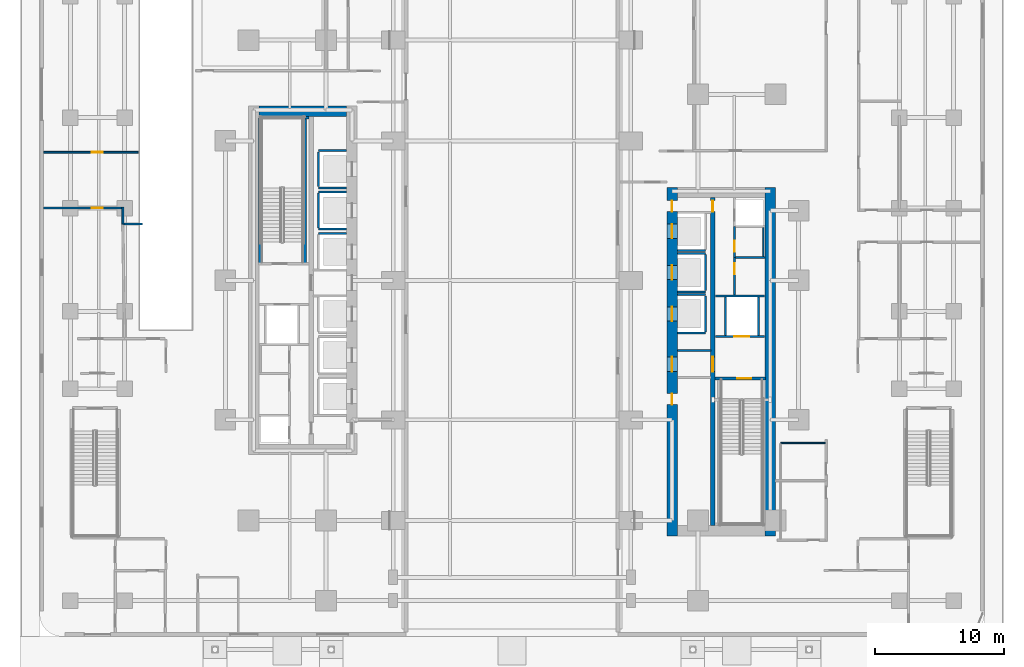
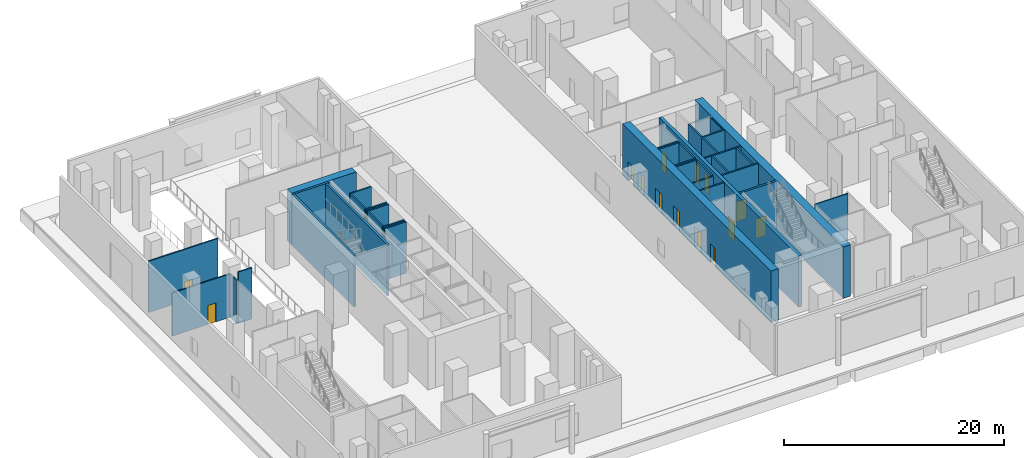
# One storey, part 11 of 22: 36 walls, 14 doors, 14 openings.
"""IFC4 building model written with IfcOpenShell, lengths in metres."""

from ifc_helpers import new_model, si_unit, direction, frame, frame_2d, origin, place, context, subcontext, project, spatial, rectangle, extrude, material, layer, layer_set, type_object, element, fill, save


model = new_model("IFC4")

# Units and contexts
model_context = context("Model", 3, precision=1e-05, world=origin(), true_north=direction((0.0, 1.0)))
body_context = subcontext(model_context, "Body", "Model", "MODEL_VIEW")
ifc_project = project(units=[si_unit("LENGTHUNIT", "METRE"), si_unit("AREAUNIT", "SQUARE_METRE"), si_unit("VOLUMEUNIT", "CUBIC_METRE"), si_unit("PLANEANGLEUNIT", "RADIAN"), si_unit("MASSUNIT", "GRAM", prefix="KILO")], contexts=[model_context])

# Site, building, storey
site_placement = place(None, origin())
site = spatial("IfcSite", under=ifc_project, at=site_placement, CompositionType="ELEMENT")
building_placement = place(site_placement, origin())
building = spatial("IfcBuilding", under=site, at=building_placement, Name="Khairoan Windgate Tower", CompositionType="ELEMENT")
storey_placement = place(building_placement, origin())
storey = spatial("IfcBuildingStorey", under=building, at=storey_placement, Name="L01", CompositionType="ELEMENT", Elevation=0.0)

# Walls
ifc_material_1 = material(Name="Moisture-Resistant Gypsum Partition", Category="gypsum")
ifc_layer_1 = layer(ifc_material_1, 0.10009765625, Name="Moisture-Resistant Gypsum Partition")
ifc_layer_set_1 = layer_set([ifc_layer_1], Name="Moisture-Resistant Gypsum Partition")
wall_type_1 = type_object("IfcWallType", Name="Bathroom Wet-Area Partition Wall", PredefinedType="PARTITIONING", material=ifc_layer_set_1)
wall_1_placement = place(storey_placement, frame((19.449951171875, 4.090087890625, 0.0), z_axis=(0.0, 0.0, 1.0), x_axis=(0.0, -1.0, 0.0)))
element("IfcWall", 1, at=wall_1_placement, inside=storey, type_object=wall_type_1, Name="L01 Wet Room Side Wall 049", PredefinedType="PARTITIONING", context=body_context, shape_type="SweptSolid", body=[
    extrude(rectangle(XDim=2.239990234375, YDim=0.10009765625, at=frame_2d((1.1201171875, 0.0))), origin(), (0.0, 0.0, 1.0), 5.699951171875),
])
wall_2_placement = place(storey_placement, frame((20.800048828125, -12.60009765625, 0.0), z_axis=(0.0, 0.0, 1.0), x_axis=(1.0, 0.0, 0.0)))
element("IfcWall", 2, at=wall_2_placement, inside=storey, type_object=wall_type_1, Name="L01 Wet Room Side Wall 053", PredefinedType="PARTITIONING", context=body_context, shape_type="SweptSolid", body=[
    extrude(rectangle(XDim=3.445068359375, YDim=0.10009765625, at=frame_2d((1.72265625, 0.0))), origin(), (0.0, 0.0, 1.0), 5.699951171875),
])
ifc_material_2 = material(Name="Concrete C40/50", Category="concrete")
ifc_layer_2 = layer(ifc_material_2, 0.159912109375, Name="Concrete C40/50")
ifc_layer_set_2 = layer_set([ifc_layer_2], Name="Concrete C40/50")
wall_type_2 = type_object("IfcWallType", Name="Core and Hoistway Enclosure Wall", PredefinedType="STANDARD", material=ifc_layer_set_2)
for number, where, z_axis, x_axis, name in (
    (3, (-14.989990234375, 7.159912109375, 0.0), (0.0, 0.0, 1.0), (1.0, 0.0, 0.0), "L01 Lift PL1 Hoistway Divider S"),
    (4, (-14.989990234375, 10.0400390625, 0.0), (0.0, 0.0, 1.0), (1.0, 0.0, 0.0), "L01 Lift PL1 Hoistway Divider N"),
):
    element("IfcWall", number, at=place(storey_placement, frame(where, z_axis=z_axis, x_axis=x_axis)), inside=storey, type_object=wall_type_2, Name=name, PredefinedType="STANDARD", context=body_context, shape_type="SweptSolid", body=[
        extrude(rectangle(XDim=2.18994140625, YDim=0.159912109375, at=frame_2d((1.094970703125, 0.0))), origin(), (0.0, 0.0, 1.0), 5.699951171875),
    ])
wall_3_placement = place(storey_placement, frame((-14.989990234375, 7.25, 0.0), z_axis=(0.0, 0.0, 1.0), x_axis=(0.0, 1.0, 0.0)))
element("IfcWall", 5, at=wall_3_placement, inside=storey, type_object=wall_type_2, Name="L01 Lift PL1 Hoistway Back Wall", PredefinedType="STANDARD", context=body_context, shape_type="SweptSolid", body=[
    extrude(rectangle(XDim=2.699951171875, YDim=0.159912109375, at=frame_2d((1.35009765625, 0.0))), origin(), (0.0, 0.0, 1.0), 5.699951171875),
])
for number, where, z_axis, x_axis, name in (
    (6, (-14.989990234375, 3.9599609375, 0.0), (0.0, 0.0, 1.0), (1.0, 0.0, 0.0), "L01 Lift PL2 Hoistway Divider S"),
    (7, (-14.989990234375, 6.840087890625, 0.0), (0.0, 0.0, 1.0), (1.0, 0.0, 0.0), "L01 Lift PL2 Hoistway Divider N"),
):
    element("IfcWall", number, at=place(storey_placement, frame(where, z_axis=z_axis, x_axis=x_axis)), inside=storey, type_object=wall_type_2, Name=name, PredefinedType="STANDARD", context=body_context, shape_type="SweptSolid", body=[
        extrude(rectangle(XDim=2.18994140625, YDim=0.159912109375, at=frame_2d((1.094970703125, 0.0))), origin(), (0.0, 0.0, 1.0), 5.699951171875),
    ])
wall_4_placement = place(storey_placement, frame((-14.989990234375, 4.050048828125, 0.0), z_axis=(0.0, 0.0, 1.0), x_axis=(0.0, 1.0, 0.0)))
element("IfcWall", 8, at=wall_4_placement, inside=storey, type_object=wall_type_2, Name="L01 Lift PL2 Hoistway Back Wall", PredefinedType="STANDARD", context=body_context, shape_type="SweptSolid", body=[
    extrude(rectangle(XDim=2.699951171875, YDim=0.159912109375, at=frame_2d((1.35009765625, 0.0))), origin(), (0.0, 0.0, 1.0), 5.699951171875),
])
for number, where, z_axis, x_axis, name in (
    (9, (-14.989990234375, 3.639892578125, 0.0), (0.0, 0.0, 1.0), (1.0, 0.0, 0.0), "L01 Lift PL3 Hoistway Divider N"),
    (10, (12.800048828125, 2.31005859375, 0.0), (0.0, 0.0, 1.0), (1.0, 0.0, 0.0), "L01 Lift PL7 Hoistway Divider S"),
    (11, (12.800048828125, -0.889892578125, 0.0), (0.0, 0.0, 1.0), (1.0, 0.0, 0.0), "L01 Lift PL8 Hoistway Divider S"),
    (12, (12.800048828125, 2.090087890625, 0.0), (0.0, 0.0, 1.0), (1.0, 0.0, 0.0), "L01 Lift PL8 Hoistway Divider N"),
):
    element("IfcWall", number, at=place(storey_placement, frame(where, z_axis=z_axis, x_axis=x_axis)), inside=storey, type_object=wall_type_2, Name=name, PredefinedType="STANDARD", context=body_context, shape_type="SweptSolid", body=[
        extrude(rectangle(XDim=2.18994140625, YDim=0.159912109375, at=frame_2d((1.094970703125, 0.0))), origin(), (0.0, 0.0, 1.0), 5.699951171875),
    ])
wall_5_placement = place(storey_placement, frame((14.989990234375, -0.800048828125, 0.0), z_axis=(0.0, 0.0, 1.0), x_axis=(0.0, 1.0, 0.0)))
element("IfcWall", 13, at=wall_5_placement, inside=storey, type_object=wall_type_2, Name="L01 Lift PL8 Hoistway Back Wall", PredefinedType="STANDARD", context=body_context, shape_type="SweptSolid", body=[
    extrude(rectangle(XDim=2.800048828125, YDim=0.159912109375, at=frame_2d((1.39990234375, 0.0))), origin(), (0.0, 0.0, 1.0), 5.699951171875),
])
for number, where, z_axis, x_axis, name in (
    (14, (12.800048828125, -4.090087890625, 0.0), (0.0, 0.0, 1.0), (1.0, 0.0, 0.0), "L01 Lift PL9 Hoistway Divider S"),
    (15, (12.800048828125, -1.110107421875, 0.0), (0.0, 0.0, 1.0), (1.0, 0.0, 0.0), "L01 Lift PL9 Hoistway Divider N"),
):
    element("IfcWall", number, at=place(storey_placement, frame(where, z_axis=z_axis, x_axis=x_axis)), inside=storey, type_object=wall_type_2, Name=name, PredefinedType="STANDARD", context=body_context, shape_type="SweptSolid", body=[
        extrude(rectangle(XDim=2.18994140625, YDim=0.159912109375, at=frame_2d((1.094970703125, 0.0))), origin(), (0.0, 0.0, 1.0), 5.699951171875),
    ])
wall_6_placement = place(storey_placement, frame((14.989990234375, -4.0, 0.0), z_axis=(0.0, 0.0, 1.0), x_axis=(0.0, 1.0, 0.0)))
element("IfcWall", 16, at=wall_6_placement, inside=storey, type_object=wall_type_2, Name="L01 Lift PL9 Hoistway Back Wall", PredefinedType="STANDARD", context=body_context, shape_type="SweptSolid", body=[
    extrude(rectangle(XDim=2.800048828125, YDim=0.159912109375, at=frame_2d((1.39990234375, 0.0))), origin(), (0.0, 0.0, 1.0), 5.699951171875),
])

# Wall, opening, door
wall_7_placement = place(storey_placement, frame((15.75, -4.360107421875, 0.0), z_axis=(0.0, 0.0, 1.0), x_axis=(1.0, 0.0, 0.0)))
wall_7 = element("IfcWall", 17, at=wall_7_placement, inside=storey, type_object=wall_type_2, Name="L01 Core Shaft Wall SW-FL1-L01", PredefinedType="STANDARD", context=body_context, shape_type="SweptSolid", body=[
    extrude(rectangle(XDim=3.800048828125, YDim=0.159912109375, at=frame_2d((1.89990234375, 0.0))), origin(), (0.0, 0.0, 1.0), 5.699951171875),
])
opening_1_placement = place(wall_7_placement, frame((1.469970703125, 0.0, 0.0)))
opening_1 = element("IfcOpeningElement", 18, at=opening_1_placement, cuts=wall_7, Name="Opening LD-FL", PredefinedType="OPENING", context=body_context, shape_type="SweptSolid", body=[
    extrude(rectangle(XDim=1.14990234375, YDim=2.199951171875, at=frame_2d((0.574951171875, 1.10009765625))), frame((0.0, 0.08984375, 0.0), z_axis=(0.0, -1.0, 0.0), x_axis=(1.0, 0.0, 0.0)), (0.0, 0.0, 1.0), 0.179931640625),
])
ifc_material_3 = material(Name="Steel S355", Category="steel")
door_type_1 = type_object("IfcDoorType", Name="Firefighting Lift Sliding Landing Door LD-FL 1150x2200", OperationType="DOUBLE_DOOR_SLIDING", PredefinedType="DOOR", material=ifc_material_3)
door_1_placement = place(opening_1_placement, origin())
door_1 = element("IfcDoor", 19, at=door_1_placement, inside=storey, type_object=door_type_1, Name="L01 Firefighting Lift FL1 Landing Door", OperationType="DOUBLE_DOOR_SLIDING", OverallHeight=2.199951171875, OverallWidth=1.14990234375, PredefinedType="DOOR", context=body_context, shape_type="SweptSolid", body=[
    extrude(rectangle(XDim=1.14990234375, YDim=2.199951171875, at=frame_2d((0.574951171875, 1.10009765625))), frame((0.0, 0.02490234375, 0.0), z_axis=(0.0, -1.0, 0.0), x_axis=(1.0, 0.0, 0.0)), (0.0, 0.0, 1.0), 0.050048828125),
])
fill(opening_1, door_1)

# Walls
wall_8_placement = place(storey_placement, frame((15.75, -1.219970703125, 0.0), z_axis=(0.0, 0.0, 1.0), x_axis=(1.0, 0.0, 0.0)))
element("IfcWall", 20, at=wall_8_placement, inside=storey, type_object=wall_type_2, Name="L01 Core Shaft Wall SW-FL1T-L01", PredefinedType="STANDARD", context=body_context, shape_type="SweptSolid", body=[
    extrude(rectangle(XDim=3.800048828125, YDim=0.159912109375, at=frame_2d((1.89990234375, 0.0))), origin(), (0.0, 0.0, 1.0), 5.699951171875),
])
for number, where, z_axis, x_axis, name in (
    (21, (16.52001953125, -4.280029296875, 0.0), (0.0, 0.0, 1.0), (0.0, 1.0, 0.0), "L01 Core Shaft Wall SW-FL1W-L01"),
    (22, (19.080078125, -4.280029296875, 0.0), (0.0, 0.0, 1.0), (0.0, 1.0, 0.0), "L01 Core Shaft Wall SW-FL1E-L01"),
):
    element("IfcWall", number, at=place(storey_placement, frame(where, z_axis=z_axis, x_axis=x_axis)), inside=storey, type_object=wall_type_2, Name=name, PredefinedType="STANDARD", context=body_context, shape_type="SweptSolid", body=[
        extrude(rectangle(XDim=2.97998046875, YDim=0.159912109375, at=frame_2d((1.489990234375, 0.0))), origin(), (0.0, 0.0, 1.0), 5.699951171875),
    ])
wall_9_placement = place(storey_placement, frame((12.800048828125, -5.449951171875, 0.0), z_axis=(0.0, 0.0, 1.0), x_axis=(1.0, 0.0, 0.0)))
element("IfcWall", 23, at=wall_9_placement, inside=storey, type_object=wall_type_2, Name="L01 Core Shaft Wall SW-EV1-L01", PredefinedType="STANDARD", context=body_context, shape_type="SweptSolid", body=[
    extrude(rectangle(XDim=2.599853515625, YDim=0.159912109375, at=frame_2d((1.2998046875, 0.0))), origin(), (0.0, 0.0, 1.0), 5.699951171875),
])

# Wall, opening, door
ifc_material_4 = material(Name="Acoustic Fire-Rated Gypsum Partition", Category="gypsum")
ifc_layer_3 = layer(ifc_material_4, 0.139892578125, Name="Acoustic Fire-Rated Gypsum Partition")
ifc_layer_set_3 = layer_set([ifc_layer_3], Name="Acoustic Fire-Rated Gypsum Partition")
wall_type_3 = type_object("IfcWallType", Name="Inter-Tenancy Compartment Wall", PredefinedType="PARTITIONING", material=ifc_layer_set_3)
wall_10_placement = place(storey_placement, frame((-36.27001953125, 9.919921875, 0.0), z_axis=(0.0, 0.0, 1.0), x_axis=(1.0, 0.0, 0.0)))
wall_10 = element("IfcWall", 24, at=wall_10_placement, inside=storey, type_object=wall_type_3, Name="L01 Interior Partition 022", PredefinedType="PARTITIONING", context=body_context, shape_type="SweptSolid", body=[
    extrude(rectangle(XDim=7.31005859375, YDim=0.139892578125, at=frame_2d((3.655029296875, 0.0))), origin(), (0.0, 0.0, 1.0), 5.699951171875),
])
opening_2_placement = place(wall_10_placement, frame((3.742919921875, 0.0, 0.0)))
opening_2 = element("IfcOpeningElement", 25, at=opening_2_placement, cuts=wall_10, Name="Opening FD-SRV", PredefinedType="OPENING", context=body_context, shape_type="SweptSolid", body=[
    extrude(rectangle(XDim=0.85009765625, YDim=2.10009765625, at=frame_2d((0.425048828125, 1.050048828125))), frame((0.0, 0.079833984375, 0.0), z_axis=(0.0, -1.0, 0.0), x_axis=(1.0, 0.0, 0.0)), (0.0, 0.0, 1.0), 0.159912109375),
])
ifc_material_5 = material(Name="Steel S355", Category="steel")
door_type_2 = type_object("IfcDoorType", Name="Core Service and Riser Fire Door FD-SRV 850x2100", OperationType="NOTDEFINED", PredefinedType="DOOR", material=ifc_material_5)
door_2_placement = place(opening_2_placement, origin())
door_2 = element("IfcDoor", 26, at=door_2_placement, inside=storey, type_object=door_type_2, Name="L01 L01-41-L01-46 Door", OperationType="SINGLE_SWING_RIGHT", OverallHeight=2.10009765625, OverallWidth=0.85009765625, PredefinedType="DOOR", context=body_context, shape_type="SweptSolid", body=[
    extrude(rectangle(XDim=0.85009765625, YDim=2.10009765625, at=frame_2d((0.425048828125, 1.050048828125))), frame((0.0, 0.02490234375, 0.0), z_axis=(0.0, -1.0, 0.0), x_axis=(1.0, 0.0, 0.0)), (0.0, 0.0, 1.0), 0.050048828125),
])
fill(opening_2, door_2)

wall_11_placement = place(storey_placement, frame((-36.27001953125, 5.60009765625, 0.0), z_axis=(0.0, 0.0, 1.0), x_axis=(1.0, 0.0, 0.0)))
wall_11 = element("IfcWall", 27, at=wall_11_placement, inside=storey, type_object=wall_type_3, Name="L01 Interior Partition 025", PredefinedType="PARTITIONING", context=body_context, shape_type="SweptSolid", body=[
    extrude(rectangle(XDim=6.054931640625, YDim=0.139892578125, at=frame_2d((3.02734375, 0.0))), origin(), (0.0, 0.0, 1.0), 4.800048828125),
])
opening_3_placement = place(wall_11_placement, frame((3.724853515625, 0.0, 0.0)))
opening_3 = element("IfcOpeningElement", 28, at=opening_3_placement, cuts=wall_11, Name="Opening FD-SRV", PredefinedType="OPENING", context=body_context, shape_type="SweptSolid", body=[
    extrude(rectangle(XDim=0.85009765625, YDim=2.10009765625, at=frame_2d((0.425048828125, 1.050048828125))), frame((0.0, 0.079833984375, 0.0), z_axis=(0.0, -1.0, 0.0), x_axis=(1.0, 0.0, 0.0)), (0.0, 0.0, 1.0), 0.159912109375),
])
door_3_placement = place(opening_3_placement, origin())
door_3 = element("IfcDoor", 29, at=door_3_placement, inside=storey, type_object=door_type_2, Name="L01 L01-44-L01-46 Door", OperationType="SINGLE_SWING_LEFT", OverallHeight=2.10009765625, OverallWidth=0.85009765625, PredefinedType="DOOR", context=body_context, shape_type="SweptSolid", body=[
    extrude(rectangle(XDim=0.85009765625, YDim=2.10009765625, at=frame_2d((0.425048828125, 1.050048828125))), frame((0.0, 0.02490234375, 0.0), z_axis=(0.0, -1.0, 0.0), x_axis=(1.0, 0.0, 0.0)), (0.0, 0.0, 1.0), 0.050048828125),
])
fill(opening_3, door_3)

ifc_material_6 = material(Name="Concrete C40/50", Category="concrete")
ifc_layer_4 = layer(ifc_material_6, 0.159912109375, Name="Concrete C40/50")
ifc_layer_set_4 = layer_set([ifc_layer_4], Name="Concrete C40/50")
wall_type_4 = type_object("IfcWallType", Name="Plant and Refuge Compartment Wall", PredefinedType="PARTITIONING", material=ifc_layer_set_4)
wall_12_placement = place(storey_placement, frame((17.22998046875, 1.77001953125, 0.0), z_axis=(0.0, 0.0, 1.0), x_axis=(0.0, 1.0, 0.0)))
wall_12 = element("IfcWall", 30, at=wall_12_placement, inside=storey, type_object=wall_type_4, Name="L01 Interior Partition 007", PredefinedType="PARTITIONING", context=body_context, shape_type="SweptSolid", body=[
    extrude(rectangle(XDim=2.39990234375, YDim=0.159912109375, at=frame_2d((1.199951171875, 0.0))), origin(), (0.0, 0.0, 1.0), 5.699951171875),
])
opening_4_placement = place(wall_12_placement, frame((0.4599609375, 0.0, 0.0)))
opening_4 = element("IfcOpeningElement", 31, at=opening_4_placement, cuts=wall_12, Name="Opening FD-SRV", PredefinedType="OPENING", context=body_context, shape_type="SweptSolid", body=[
    extrude(rectangle(XDim=0.85009765625, YDim=2.10009765625, at=frame_2d((0.425048828125, 1.050048828125))), frame((0.0, 0.08984375, 0.0), z_axis=(0.0, -1.0, 0.0), x_axis=(1.0, 0.0, 0.0)), (0.0, 0.0, 1.0), 0.179931640625),
])
door_4_placement = place(opening_4_placement, origin())
door_4 = element("IfcDoor", 32, at=door_4_placement, inside=storey, type_object=door_type_2, Name="L01 L01-21-L01-23 Door", OperationType="SINGLE_SWING_RIGHT", OverallHeight=2.10009765625, OverallWidth=0.85009765625, PredefinedType="DOOR", context=body_context, shape_type="SweptSolid", body=[
    extrude(rectangle(XDim=0.85009765625, YDim=2.10009765625, at=frame_2d((0.425048828125, 1.050048828125))), frame((0.0, 0.02490234375, 0.0), z_axis=(0.0, -1.0, 0.0), x_axis=(1.0, 0.0, 0.0)), (0.0, 0.0, 1.0), 0.050048828125),
])
fill(opening_4, door_4)

wall_13_placement = place(storey_placement, frame((17.22998046875, -1.139892578125, 0.0), z_axis=(0.0, 0.0, 1.0), x_axis=(0.0, 1.0, 0.0)))
wall_13 = element("IfcWall", 33, at=wall_13_placement, inside=storey, type_object=wall_type_4, Name="L01 Interior Partition 008", PredefinedType="PARTITIONING", context=body_context, shape_type="SweptSolid", body=[
    extrude(rectangle(XDim=2.909912109375, YDim=0.159912109375, at=frame_2d((1.455078125, 0.0))), origin(), (0.0, 0.0, 1.0), 5.699951171875),
])
opening_5_placement = place(wall_13_placement, frame((1.60009765625, 0.0, 0.0)))
opening_5 = element("IfcOpeningElement", 34, at=opening_5_placement, cuts=wall_13, Name="Opening FD-SRV", PredefinedType="OPENING", context=body_context, shape_type="SweptSolid", body=[
    extrude(rectangle(XDim=0.85009765625, YDim=2.10009765625, at=frame_2d((0.425048828125, 1.050048828125))), frame((0.0, 0.08984375, 0.0), z_axis=(0.0, -1.0, 0.0), x_axis=(1.0, 0.0, 0.0)), (0.0, 0.0, 1.0), 0.179931640625),
])
door_5_placement = place(opening_5_placement, origin())
door_5 = element("IfcDoor", 35, at=door_5_placement, inside=storey, type_object=door_type_2, Name="L01 L01-21-L01-24 Door", OperationType="SINGLE_SWING_LEFT", OverallHeight=2.10009765625, OverallWidth=0.85009765625, PredefinedType="DOOR", context=body_context, shape_type="SweptSolid", body=[
    extrude(rectangle(XDim=0.85009765625, YDim=2.10009765625, at=frame_2d((0.425048828125, 1.050048828125))), frame((0.0, 0.02490234375, 0.0), z_axis=(0.0, -1.0, 0.0), x_axis=(1.0, 0.0, 0.0)), (0.0, 0.0, 1.0), 0.050048828125),
])
fill(opening_5, door_5)

# Walls
wall_14_placement = place(storey_placement, frame((17.31005859375, 1.77001953125, 0.0), z_axis=(0.0, 0.0, 1.0), x_axis=(1.0, 0.0, 0.0)))
element("IfcWall", 36, at=wall_14_placement, inside=storey, type_object=wall_type_4, Name="L01 Interior Partition 010", PredefinedType="PARTITIONING", context=body_context, shape_type="SweptSolid", body=[
    extrude(rectangle(XDim=2.2900390625, YDim=0.159912109375, at=frame_2d((1.14501953125, 0.0))), origin(), (0.0, 0.0, 1.0), 5.699951171875),
])
ifc_material_7 = material(Name="Acoustic Fire-Rated Gypsum Partition", Category="gypsum")
ifc_layer_5 = layer(ifc_material_7, 0.14990234375, Name="Acoustic Fire-Rated Gypsum Partition")
ifc_layer_set_5 = layer_set([ifc_layer_5], Name="Acoustic Fire-Rated Gypsum Partition")
wall_type_5 = type_object("IfcWallType", Name="Rated Corridor Partition Wall", PredefinedType="PARTITIONING", material=ifc_layer_set_5)
wall_15_placement = place(storey_placement, frame((-30.139892578125, 4.360107421875, 0.0), z_axis=(0.0, 0.0, 1.0), x_axis=(0.0, 1.0, 0.0)))
element("IfcWall", 37, at=wall_15_placement, inside=storey, type_object=wall_type_5, Name="L01 Interior Partition 013", PredefinedType="PARTITIONING", context=body_context, shape_type="SweptSolid", body=[
    extrude(rectangle(XDim=1.309814453125, YDim=0.14990234375, at=frame_2d((0.65478515625, 0.0))), origin(), (0.0, 0.0, 1.0), 4.800048828125),
])
wall_16_placement = place(storey_placement, frame((-30.06494140625, 4.360107421875, 0.0), z_axis=(0.0, 0.0, 1.0), x_axis=(1.0, 0.0, 0.0)))
element("IfcWall", 38, at=wall_16_placement, inside=storey, type_object=wall_type_5, Name="L01 Interior Partition 014", PredefinedType="PARTITIONING", context=body_context, shape_type="SweptSolid", body=[
    extrude(rectangle(XDim=1.44482421875, YDim=0.14990234375, at=frame_2d((0.722412109375, 0.0))), origin(), (0.0, 0.0, 1.0), 5.699951171875),
])

# Wall, openings, doors
ifc_material_8 = material(Name="Concrete C70/85", Category="concrete")
ifc_layer_6 = layer(ifc_material_8, 0.800048828125, Name="Concrete C70/85")
ifc_layer_set_6 = layer_set([ifc_layer_6], Name="Concrete C70/85")
wall_type_6 = type_object("IfcWallType", Name="Shear Wall CW-E1 800mm", PredefinedType="SHEAR", material=ifc_layer_set_6)
wall_17_placement = place(storey_placement, frame((12.39990234375, -19.800048828125, 0.0), z_axis=(0.0, 0.0, 1.0), x_axis=(0.0, 1.0, 0.0)))
wall_17 = element("IfcWall", 39, at=wall_17_placement, inside=storey, type_object=wall_type_6, Name="E Core West Shear Wall L01", PredefinedType="SHEAR", context=body_context, shape_type="SweptSolid", body=[
    extrude(rectangle(XDim=27.0, YDim=0.800048828125, at=frame_2d((13.5, 0.0))), origin(), (0.0, 0.0, 1.0), 5.699951171875),
])
opening_6_placement = place(wall_17_placement, frame((23.050048828125, 0.0, 0.0)))
opening_6 = element("IfcOpeningElement", 40, at=opening_6_placement, cuts=wall_17, Name="Opening LD-PL", PredefinedType="OPENING", context=body_context, shape_type="SweptSolid", body=[
    extrude(rectangle(XDim=1.10009765625, YDim=2.199951171875, at=frame_2d((0.550048828125, 1.10009765625))), frame((0.0, 0.409912109375, 0.0), z_axis=(0.0, -1.0, 0.0), x_axis=(1.0, 0.0, 0.0)), (0.0, 0.0, 1.0), 0.820068359375),
])
opening_7_placement = place(wall_17_placement, frame((19.85009765625, 0.0, 0.0)))
opening_7 = element("IfcOpeningElement", 41, at=opening_7_placement, cuts=wall_17, Name="Opening LD-PL", PredefinedType="OPENING", context=body_context, shape_type="SweptSolid", body=[
    extrude(rectangle(XDim=1.10009765625, YDim=2.199951171875, at=frame_2d((0.550048828125, 1.10009765625))), frame((0.0, 0.409912109375, 0.0), z_axis=(0.0, -1.0, 0.0), x_axis=(1.0, 0.0, 0.0)), (0.0, 0.0, 1.0), 0.820068359375),
])
opening_8_placement = place(wall_17_placement, frame((16.64990234375, 0.0, 0.0)))
opening_8 = element("IfcOpeningElement", 42, at=opening_8_placement, cuts=wall_17, Name="Opening LD-PL", PredefinedType="OPENING", context=body_context, shape_type="SweptSolid", body=[
    extrude(rectangle(XDim=1.10009765625, YDim=2.199951171875, at=frame_2d((0.550048828125, 1.10009765625))), frame((0.0, 0.409912109375, 0.0), z_axis=(0.0, -1.0, 0.0), x_axis=(1.0, 0.0, 0.0)), (0.0, 0.0, 1.0), 0.820068359375),
])
opening_9_placement = place(wall_17_placement, frame((10.175048828125, 0.0, 0.0)))
opening_9 = element("IfcOpeningElement", 43, at=opening_9_placement, cuts=wall_17, Name="Opening FD-SRV", PredefinedType="OPENING", context=body_context, shape_type="SweptSolid", body=[
    extrude(rectangle(XDim=0.85009765625, YDim=2.10009765625, at=frame_2d((0.425048828125, 1.050048828125))), frame((0.0, 0.409912109375, 0.0), z_axis=(0.0, -1.0, 0.0), x_axis=(1.0, 0.0, 0.0)), (0.0, 0.0, 1.0), 0.820068359375),
])
opening_10_placement = place(wall_17_placement, frame((12.72509765625, 0.0, 0.0)))
opening_10 = element("IfcOpeningElement", 44, at=opening_10_placement, cuts=wall_17, Name="Opening FD-FFL", PredefinedType="OPENING", context=body_context, shape_type="SweptSolid", body=[
    extrude(rectangle(XDim=1.14990234375, YDim=2.199951171875, at=frame_2d((0.574951171875, 1.10009765625))), frame((0.0, 0.409912109375, 0.0), z_axis=(0.0, -1.0, 0.0), x_axis=(1.0, 0.0, 0.0)), (0.0, 0.0, 1.0), 0.820068359375),
])
opening_11_placement = place(wall_17_placement, frame((25.125, 0.0, 0.0)))
opening_11 = element("IfcOpeningElement", 45, at=opening_11_placement, cuts=wall_17, Name="Opening FD-SRV", PredefinedType="OPENING", context=body_context, shape_type="SweptSolid", body=[
    extrude(rectangle(XDim=0.85009765625, YDim=2.10009765625, at=frame_2d((0.425048828125, 1.050048828125))), frame((0.0, 0.409912109375, 0.0), z_axis=(0.0, -1.0, 0.0), x_axis=(1.0, 0.0, 0.0)), (0.0, 0.0, 1.0), 0.820068359375),
])
door_6_placement = place(opening_9_placement, origin())
door_6 = element("IfcDoor", 46, at=door_6_placement, inside=storey, type_object=door_type_2, Name="L01 East Core Service Room Door 1", OperationType="SINGLE_SWING_LEFT", OverallHeight=2.10009765625, OverallWidth=0.85009765625, PredefinedType="DOOR", context=body_context, shape_type="SweptSolid", body=[
    extrude(rectangle(XDim=0.85009765625, YDim=2.10009765625, at=frame_2d((0.425048828125, 1.050048828125))), frame((0.0, 0.02490234375, 0.0), z_axis=(0.0, -1.0, 0.0), x_axis=(1.0, 0.0, 0.0)), (0.0, 0.0, 1.0), 0.050048828125),
])
fill(opening_9, door_6)
door_7_placement = place(opening_11_placement, origin())
door_7 = element("IfcDoor", 47, at=door_7_placement, inside=storey, type_object=door_type_2, Name="L01 East Core Service Vestibule Outer Door", OperationType="SINGLE_SWING_RIGHT", OverallHeight=2.10009765625, OverallWidth=0.85009765625, PredefinedType="DOOR", context=body_context, shape_type="SweptSolid", body=[
    extrude(rectangle(XDim=0.85009765625, YDim=2.10009765625, at=frame_2d((0.425048828125, 1.050048828125))), frame((0.0, 0.02490234375, 0.0), z_axis=(0.0, -1.0, 0.0), x_axis=(1.0, 0.0, 0.0)), (0.0, 0.0, 1.0), 0.050048828125),
])
fill(opening_11, door_7)
ifc_material_9 = material(Name="Steel S355", Category="steel")
door_type_3 = type_object("IfcDoorType", Name="Firefighting Lobby Fire Door FD-FFL 1150x2200", OperationType="NOTDEFINED", PredefinedType="DOOR", material=ifc_material_9)
door_8_placement = place(opening_10_placement, origin())
door_8 = element("IfcDoor", 48, at=door_8_placement, inside=storey, type_object=door_type_3, Name="L01 East Core Vestibule Entry Door", OperationType="SINGLE_SWING_RIGHT", OverallHeight=2.199951171875, OverallWidth=1.14990234375, PredefinedType="DOOR", context=body_context, shape_type="SweptSolid", body=[
    extrude(rectangle(XDim=1.14990234375, YDim=2.199951171875, at=frame_2d((0.574951171875, 1.10009765625))), frame((0.0, 0.02490234375, 0.0), z_axis=(0.0, -1.0, 0.0), x_axis=(1.0, 0.0, 0.0)), (0.0, 0.0, 1.0), 0.050048828125),
])
fill(opening_10, door_8)
ifc_material_10 = material(Name="Anodised Bronze Aluminium 6063-T6", Category="aluminium")
door_type_4 = type_object("IfcDoorType", Name="Passenger Lift Sliding Landing Door LD-PL 1100x2200", OperationType="DOUBLE_DOOR_SLIDING", PredefinedType="DOOR", material=ifc_material_10)
door_9_placement = place(opening_6_placement, origin())
door_9 = element("IfcDoor", 49, at=door_9_placement, inside=storey, type_object=door_type_4, Name="L01 Lift PL7 Sliding Landing Door", OperationType="DOUBLE_DOOR_SLIDING", OverallHeight=2.199951171875, OverallWidth=1.10009765625, PredefinedType="DOOR", context=body_context, shape_type="SweptSolid", body=[
    extrude(rectangle(XDim=1.10009765625, YDim=2.199951171875, at=frame_2d((0.550048828125, 1.10009765625))), frame((0.0, 0.02490234375, 0.0), z_axis=(0.0, -1.0, 0.0), x_axis=(1.0, 0.0, 0.0)), (0.0, 0.0, 1.0), 0.050048828125),
])
fill(opening_6, door_9)
door_10_placement = place(opening_7_placement, origin())
door_10 = element("IfcDoor", 50, at=door_10_placement, inside=storey, type_object=door_type_4, Name="L01 Lift PL8 Sliding Landing Door", OperationType="DOUBLE_DOOR_SLIDING", OverallHeight=2.199951171875, OverallWidth=1.10009765625, PredefinedType="DOOR", context=body_context, shape_type="SweptSolid", body=[
    extrude(rectangle(XDim=1.10009765625, YDim=2.199951171875, at=frame_2d((0.550048828125, 1.10009765625))), frame((0.0, 0.02490234375, 0.0), z_axis=(0.0, -1.0, 0.0), x_axis=(1.0, 0.0, 0.0)), (0.0, 0.0, 1.0), 0.050048828125),
])
fill(opening_7, door_10)
door_11_placement = place(opening_8_placement, origin())
door_11 = element("IfcDoor", 51, at=door_11_placement, inside=storey, type_object=door_type_4, Name="L01 Lift PL9 Sliding Landing Door", OperationType="DOUBLE_DOOR_SLIDING", OverallHeight=2.199951171875, OverallWidth=1.10009765625, PredefinedType="DOOR", context=body_context, shape_type="SweptSolid", body=[
    extrude(rectangle(XDim=1.10009765625, YDim=2.199951171875, at=frame_2d((0.550048828125, 1.10009765625))), frame((0.0, 0.02490234375, 0.0), z_axis=(0.0, -1.0, 0.0), x_axis=(1.0, 0.0, 0.0)), (0.0, 0.0, 1.0), 0.050048828125),
])
fill(opening_8, door_11)

# Walls
wall_18_placement = place(storey_placement, frame((20.0, -19.800048828125, 0.0), z_axis=(0.0, 0.0, 1.0), x_axis=(0.0, 1.0, 0.0)))
element("IfcWall", 52, at=wall_18_placement, inside=storey, type_object=wall_type_6, Name="E Core East Shear Wall L01", PredefinedType="SHEAR", context=body_context, shape_type="SweptSolid", body=[
    extrude(rectangle(XDim=27.0, YDim=0.800048828125, at=frame_2d((13.5, 0.0))), origin(), (0.0, 0.0, 1.0), 5.699951171875),
])
ifc_material_11 = material(Name="Concrete C70/85", Category="concrete")
ifc_layer_7 = layer(ifc_material_11, 0.800048828125, Name="Concrete C70/85")
ifc_layer_set_7 = layer_set([ifc_layer_7], Name="Concrete C70/85")
wall_type_7 = type_object("IfcWallType", Name="Shear Wall CW-W1 800mm", PredefinedType="SHEAR", material=ifc_layer_set_7)
wall_19_placement = place(storey_placement, frame((-19.60009765625, 13.10009765625, 0.0), z_axis=(0.0, 0.0, 1.0), x_axis=(1.0, 0.0, 0.0)))
element("IfcWall", 53, at=wall_19_placement, inside=storey, type_object=wall_type_7, Name="W Core North Shear Wall L01", PredefinedType="SHEAR", context=body_context, shape_type="SweptSolid", body=[
    extrude(rectangle(XDim=6.800048828125, YDim=0.800048828125, at=frame_2d((3.39990234375, 0.0))), origin(), (0.0, 0.0, 1.0), 5.699951171875),
])

# Wall, openings, doors
ifc_material_12 = material(Name="Concrete C60/75", Category="concrete")
ifc_layer_8 = layer(ifc_material_12, 0.35009765625, Name="Concrete C60/75")
ifc_layer_set_8 = layer_set([ifc_layer_8], Name="Concrete C60/75")
wall_type_8 = type_object("IfcWallType", Name="Shear Wall SW-1 350mm", PredefinedType="SHEAR", material=ifc_layer_set_8)
wall_20_placement = place(storey_placement, frame((15.550048828125, -19.0, 0.0), z_axis=(0.0, 0.0, 1.0), x_axis=(0.0, 1.0, 0.0)))
wall_20 = element("IfcWall", 54, at=wall_20_placement, inside=storey, type_object=wall_type_8, Name="E Core Spine Shear Wall L01", PredefinedType="SHEAR", context=body_context, shape_type="SweptSolid", body=[
    extrude(rectangle(XDim=25.39990234375, YDim=0.35009765625, at=frame_2d((12.699951171875, 0.0))), origin(), (0.0, 0.0, 1.0), 5.699951171875),
])
opening_12_placement = place(wall_20_placement, frame((11.925048828125, 0.0, 0.0)))
opening_12 = element("IfcOpeningElement", 55, at=opening_12_placement, cuts=wall_20, Name="Opening FD-FFL", PredefinedType="OPENING", context=body_context, shape_type="SweptSolid", body=[
    extrude(rectangle(XDim=1.14990234375, YDim=2.199951171875, at=frame_2d((0.574951171875, 1.10009765625))), frame((0.0, 0.18505859375, 0.0), z_axis=(0.0, -1.0, 0.0), x_axis=(1.0, 0.0, 0.0)), (0.0, 0.0, 1.0), 0.3701171875),
])
opening_13_placement = place(wall_20_placement, frame((24.324951171875, 0.0, 0.0)))
opening_13 = element("IfcOpeningElement", 56, at=opening_13_placement, cuts=wall_20, Name="Opening FD-SRV", PredefinedType="OPENING", context=body_context, shape_type="SweptSolid", body=[
    extrude(rectangle(XDim=0.85009765625, YDim=2.10009765625, at=frame_2d((0.425048828125, 1.050048828125))), frame((0.0, 0.18505859375, 0.0), z_axis=(0.0, -1.0, 0.0), x_axis=(1.0, 0.0, 0.0)), (0.0, 0.0, 1.0), 0.3701171875),
])
door_12_placement = place(opening_13_placement, origin())
door_12 = element("IfcDoor", 57, at=door_12_placement, inside=storey, type_object=door_type_2, Name="L01 East Core Service Passage Inner Door", OperationType="SINGLE_SWING_LEFT", OverallHeight=2.10009765625, OverallWidth=0.85009765625, PredefinedType="DOOR", context=body_context, shape_type="SweptSolid", body=[
    extrude(rectangle(XDim=0.85009765625, YDim=2.10009765625, at=frame_2d((0.425048828125, 1.050048828125))), frame((0.0, 0.02490234375, 0.0), z_axis=(0.0, -1.0, 0.0), x_axis=(1.0, 0.0, 0.0)), (0.0, 0.0, 1.0), 0.050048828125),
])
fill(opening_13, door_12)
door_13_placement = place(opening_12_placement, origin())
door_13 = element("IfcDoor", 58, at=door_13_placement, inside=storey, type_object=door_type_3, Name="L01 East Firefighting Lobby Fire Door", OperationType="SINGLE_SWING_LEFT", OverallHeight=2.199951171875, OverallWidth=1.14990234375, PredefinedType="DOOR", context=body_context, shape_type="SweptSolid", body=[
    extrude(rectangle(XDim=1.14990234375, YDim=2.199951171875, at=frame_2d((0.574951171875, 1.10009765625))), frame((0.0, 0.02490234375, 0.0), z_axis=(0.0, -1.0, 0.0), x_axis=(1.0, 0.0, 0.0)), (0.0, 0.0, 1.0), 0.050048828125),
])
fill(opening_12, door_13)

# Wall, opening, door
ifc_material_13 = material(Name="Concrete C50/60", Category="concrete")
ifc_layer_9 = layer(ifc_material_13, 0.219970703125, Name="Concrete C50/60")
ifc_layer_set_9 = layer_set([ifc_layer_9], Name="Concrete C50/60")
wall_type_9 = type_object("IfcWallType", Name="Shear Wall SW-ST 220mm", PredefinedType="SHEAR", material=ifc_layer_set_9)
wall_21_placement = place(storey_placement, frame((19.6201171875, -7.590087890625, 0.0), z_axis=(0.0, 0.0, 1.0), x_axis=(-1.0, 0.0, 0.0)))
wall_21 = element("IfcWall", 59, at=wall_21_placement, inside=storey, type_object=wall_type_9, Name="L01 Stair ST1 North Bearing Wall", PredefinedType="SHEAR", context=body_context, shape_type="SweptSolid", body=[
    extrude(rectangle(XDim=3.9150390625, YDim=0.219970703125, at=frame_2d((1.95751953125, 0.0))), origin(), (0.0, 0.0, 1.0), 5.699951171875),
])
opening_14_placement = place(wall_21_placement, frame((1.080078125, 0.0, 0.0)))
opening_14 = element("IfcOpeningElement", 60, at=opening_14_placement, cuts=wall_21, Name="Opening FD-ST", PredefinedType="OPENING", context=body_context, shape_type="SweptSolid", body=[
    extrude(rectangle(XDim=1.10009765625, YDim=2.199951171875, at=frame_2d((0.550048828125, 1.10009765625))), frame((0.0, 0.119873046875, 0.0), z_axis=(0.0, -1.0, 0.0), x_axis=(1.0, 0.0, 0.0)), (0.0, 0.0, 1.0), 0.239990234375),
])
ifc_material_14 = material(Name="Steel S355", Category="steel")
door_type_5 = type_object("IfcDoorType", Name="Smokeproof Stair Fire Door FD-ST 1100x2200", OperationType="NOTDEFINED", PredefinedType="DOOR", material=ifc_material_14)
door_14_placement = place(opening_14_placement, origin())
door_14 = element("IfcDoor", 61, at=door_14_placement, inside=storey, type_object=door_type_5, Name="L01 Stair ST1 Fire Door", OperationType="SINGLE_SWING_LEFT", OverallHeight=2.199951171875, OverallWidth=1.10009765625, PredefinedType="DOOR", context=body_context, shape_type="SweptSolid", body=[
    extrude(rectangle(XDim=1.10009765625, YDim=2.199951171875, at=frame_2d((0.550048828125, 1.10009765625))), frame((0.0, 0.02490234375, 0.0), z_axis=(0.0, -1.0, 0.0), x_axis=(1.0, 0.0, 0.0)), (0.0, 0.0, 1.0), 0.050048828125),
])
fill(opening_14, door_14)

# Walls
for number, where, z_axis, x_axis, name in (
    (62, (-16.0400390625, 1.2900390625, 0.0), (0.0, 0.0, 1.0), (0.0, 1.0, 0.0), "L01 Stair ST2 East Bearing Wall"),
    (63, (-19.530029296875, 1.2900390625, 0.0), (0.0, 0.0, 1.0), (0.0, 1.0, 0.0), "L01 Stair ST2 West Bearing Wall"),
):
    element("IfcWall", number, at=place(storey_placement, frame(where, z_axis=z_axis, x_axis=x_axis)), inside=storey, type_object=wall_type_9, Name=name, PredefinedType="SHEAR", context=body_context, shape_type="SweptSolid", body=[
        extrude(rectangle(XDim=11.300048828125, YDim=0.219970703125, at=frame_2d((5.64990234375, 0.0))), origin(), (0.0, 0.0, 1.0), 5.699951171875),
    ])
wall_22_placement = place(storey_placement, frame((-19.6201171875, 12.590087890625, 0.0), z_axis=(0.0, 0.0, 1.0), x_axis=(1.0, 0.0, 0.0)))
element("IfcWall", 64, at=wall_22_placement, inside=storey, type_object=wall_type_9, Name="L01 Stair ST2 North Bearing Wall", PredefinedType="SHEAR", context=body_context, shape_type="SweptSolid", body=[
    extrude(rectangle(XDim=3.9150390625, YDim=0.219970703125, at=frame_2d((1.95751953125, 0.0))), origin(), (0.0, 0.0, 1.0), 5.699951171875),
])

save(model, "model.ifc")
